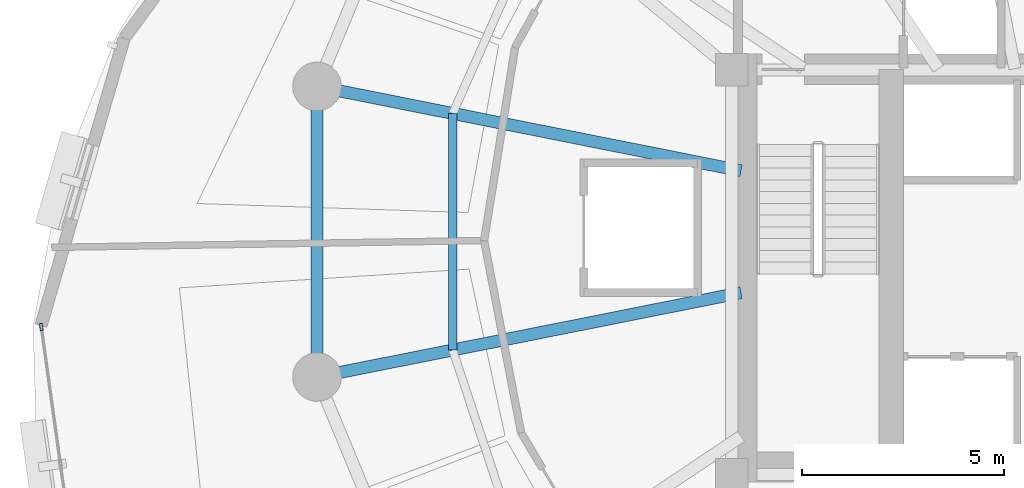
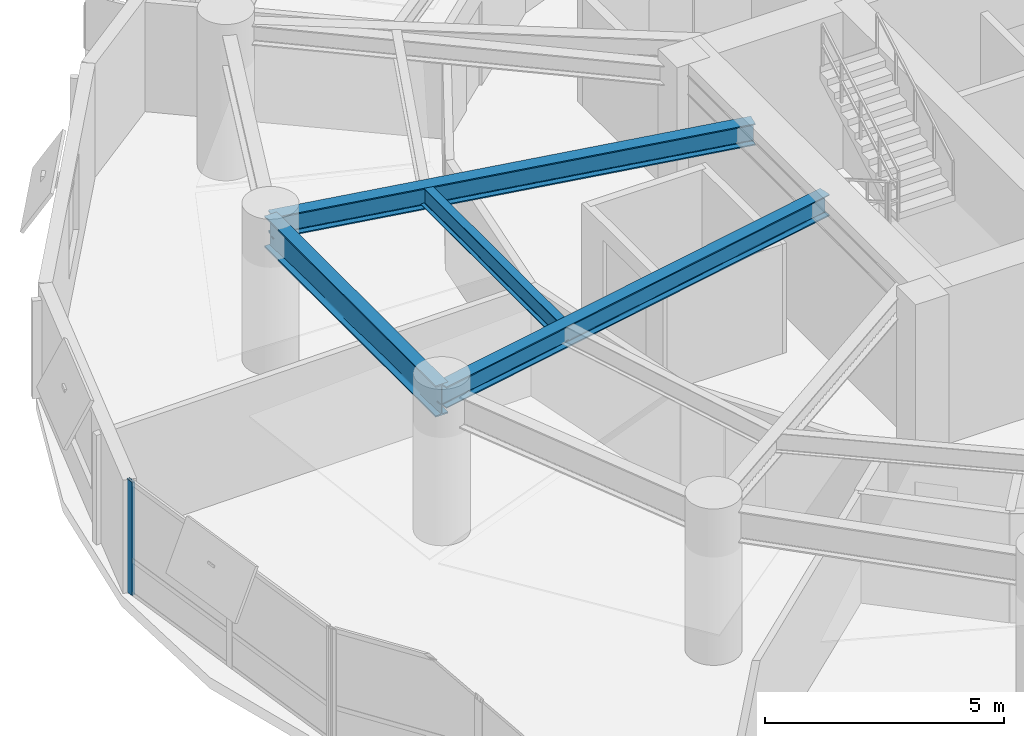
# One storey, part 4 of 15: 4 beams, 1 member, 1 element without a shape of its own.
"""IFC4 building model written with IfcOpenShell, lengths in metres."""

from ifc_helpers import new_model, si_unit, direction, frame, origin, origin_2d, place, context, subcontext, project, spatial, hollow_rectangle, i_section, extrude, material, layer, layer_set, material_profile, profile_set, type_object, element, aggregate, save


model = new_model("IFC4")

# Units and contexts
model_context = context("Model", 3, precision=1e-05, world=origin(), true_north=direction((0.0, 1.0)))
body_context = subcontext(model_context, "Body", "Model", "MODEL_VIEW")
ifc_project = project(units=[si_unit("LENGTHUNIT", "METRE"), si_unit("AREAUNIT", "SQUARE_METRE"), si_unit("VOLUMEUNIT", "CUBIC_METRE"), si_unit("PLANEANGLEUNIT", "RADIAN"), si_unit("MASSUNIT", "GRAM", prefix="KILO"), si_unit("THERMODYNAMICTEMPERATUREUNIT", "KELVIN"), si_unit("POWERUNIT", "WATT")], contexts=[model_context])

# Site, building, storey
site_placement = place(None, origin())
site = spatial("IfcSite", under=ifc_project, at=site_placement, CompositionType="ELEMENT")
building_placement = place(site_placement, origin())
building = spatial("IfcBuilding", under=site, at=building_placement, Name="Ocrelia Relay Tower", CompositionType="ELEMENT")
storey_placement = place(building_placement, frame((0.0, 0.0, 121.800048828125)))
storey = spatial("IfcBuildingStorey", under=building, at=storey_placement, Name="L28", CompositionType="ELEMENT", Elevation=121.800048828125)

# Beams
ifc_material_1 = material(Name="Steel S355", Category="steel")
ifc_material_profile_1 = material_profile(ifc_material_1, i_section(OverallWidth=0.300048828125, OverallDepth=0.550048828125, WebThickness=0.014892578125, FlangeThickness=0.029052734375, FilletRadius=0.027099609375, at=origin_2d()), Name="HEB 550")
ifc_profile_set_1 = profile_set([ifc_material_profile_1], Name="Steel S355")
beam_type_1 = type_object("IfcBeamType", Name="BM-HEB550", PredefinedType="BEAM", material=ifc_profile_set_1)
for number, where, z_axis, x_axis, name in (
    (1, (15.95361328125, 29.589599609375, 3.445068359375), (0.980787592082, -0.195078700063, 0.0), (0.195078700063, 0.980787592082, 0.0), "L28 Radial Floor Girder R08"),
    (2, (15.95361328125, 22.410400390625, 3.445068359375), (0.980787592082, 0.195078700063, 0.0), (-0.195078700063, 0.980787592082, 0.0), "L28 Radial Floor Girder R09"),
):
    element("IfcBeam", number, at=place(storey_placement, frame(where, z_axis=z_axis, x_axis=x_axis)), inside=storey, type_object=beam_type_1, Name=name, PredefinedType="BEAM", context=body_context, shape_type="SweptSolid", body=[
        extrude(i_section(OverallWidth=0.300048828125, OverallDepth=0.550048828125, WebThickness=0.014892578125, FlangeThickness=0.029052734375, FilletRadius=0.027099609375, at=origin_2d()), origin(), (0.0, 0.0, 1.0), 10.681640625),
    ])
ifc_material_profile_2 = material_profile(ifc_material_1, i_section(OverallWidth=0.300048828125, OverallDepth=0.800048828125, WebThickness=0.017578125, FlangeThickness=0.032958984375, FilletRadius=0.030029296875, at=origin_2d()), Name="HEB 800")
ifc_profile_set_2 = profile_set([ifc_material_profile_2], Name="Steel S355")
beam_type_2 = type_object("IfcBeamType", Name="BM-HEB800", PredefinedType="BEAM", material=ifc_profile_set_2)
beam_1_placement = place(storey_placement, frame((15.95361328125, 29.589599609375, 3.320068359375), z_axis=(0.0, -1.0, 0.0), x_axis=(1.0, 0.0, 0.0)))
element("IfcBeam", 3, at=beam_1_placement, inside=storey, type_object=beam_type_2, Name="L28 Perimeter Spandrel Beam S08", PredefinedType="BEAM", context=body_context, shape_type="SweptSolid", body=[
    extrude(i_section(OverallWidth=0.300048828125, OverallDepth=0.800048828125, WebThickness=0.017578125, FlangeThickness=0.032958984375, FilletRadius=0.030029296875, at=origin_2d()), origin(), (0.0, 0.0, 1.0), 7.17919921875),
])
ifc_material_profile_3 = material_profile(ifc_material_1, i_section(OverallWidth=0.199951171875, OverallDepth=0.5, WebThickness=0.01025390625, FlangeThickness=0.01611328125, FilletRadius=0.02099609375, at=origin_2d()), Name="IPE 500")
ifc_profile_set_3 = profile_set([ifc_material_profile_3], Name="Steel S355")
beam_type_3 = type_object("IfcBeamType", Name="BM-IPE500", PredefinedType="JOIST", material=ifc_profile_set_3)
beam_2_placement = place(storey_placement, frame((19.305908203125, 28.9228515625, 3.469970703125), z_axis=(0.0, -1.0, 0.0), x_axis=(1.0, 0.0, 0.0)))
element("IfcBeam", 4, at=beam_2_placement, inside=storey, type_object=beam_type_3, Name="L28 Secondary Floor Joist J08", PredefinedType="JOIST", context=body_context, shape_type="SweptSolid", body=[
    extrude(i_section(OverallWidth=0.199951171875, OverallDepth=0.5, WebThickness=0.01025390625, FlangeThickness=0.01611328125, FilletRadius=0.02099609375, at=origin_2d()), origin(), (0.0, 0.0, 1.0), 5.845703125),
])

# Curtain wall, member
ifc_material_2 = material(Name="Aluminium and solar-control low-E glass", Category="aluminium")
ifc_layer = layer(ifc_material_2, 0.179931640625, Name="Aluminium and solar-control low-E glass")
ifc_layer_set = layer_set([ifc_layer], Name="Aluminium and solar-control low-E glass")
curtain_wall_type = type_object("IfcCurtainWallType", Name="CW-SYS-Z2-SWIT", PredefinedType="NOTDEFINED", material=ifc_layer_set)
curtain_wall_placement = place(storey_placement, origin())
curtain_wall = element("IfcCurtainWall", 5, at=curtain_wall_placement, inside=storey, type_object=curtain_wall_type, Name="L28 Elliptical Tower Curtain Wall Bay 09", PredefinedType="NOTDEFINED")
ifc_material_3 = material(Name="Anodised bronze aluminium", Category="aluminium")
ifc_material_profile_4 = material_profile(ifc_material_3, hollow_rectangle(XDim=0.070068359375, YDim=0.179931640625, WallThickness=0.006103515625, at=origin_2d()), Name="CW-MUL-180x70")
ifc_profile_set_4 = profile_set([ifc_material_profile_4], Name="Anodised bronze aluminium")
member_type = type_object("IfcMemberType", Name="CW-SYS-Z2-SWIT-MUL", PredefinedType="MULLION", material=ifc_profile_set_4)
member_placement = place(storey_placement, frame((9.14013671875, 23.646240234375, 0.0), z_axis=(0.0, 0.0, 1.0), x_axis=(0.990434578418, 0.137983136196, 0.0)))
member = element("IfcMember", 6, at=member_placement, type_object=member_type, Name="CW-Z2 mullion 1", PredefinedType="MULLION", context=body_context, shape_type="SweptSolid", body=[
    extrude(hollow_rectangle(XDim=0.070068359375, YDim=0.179931640625, WallThickness=0.006103515625, at=origin_2d()), origin(), (0.0, 0.0, 1.0), 2.89990234375),
])
aggregate(curtain_wall, [member])

save(model, "model.ifc")
